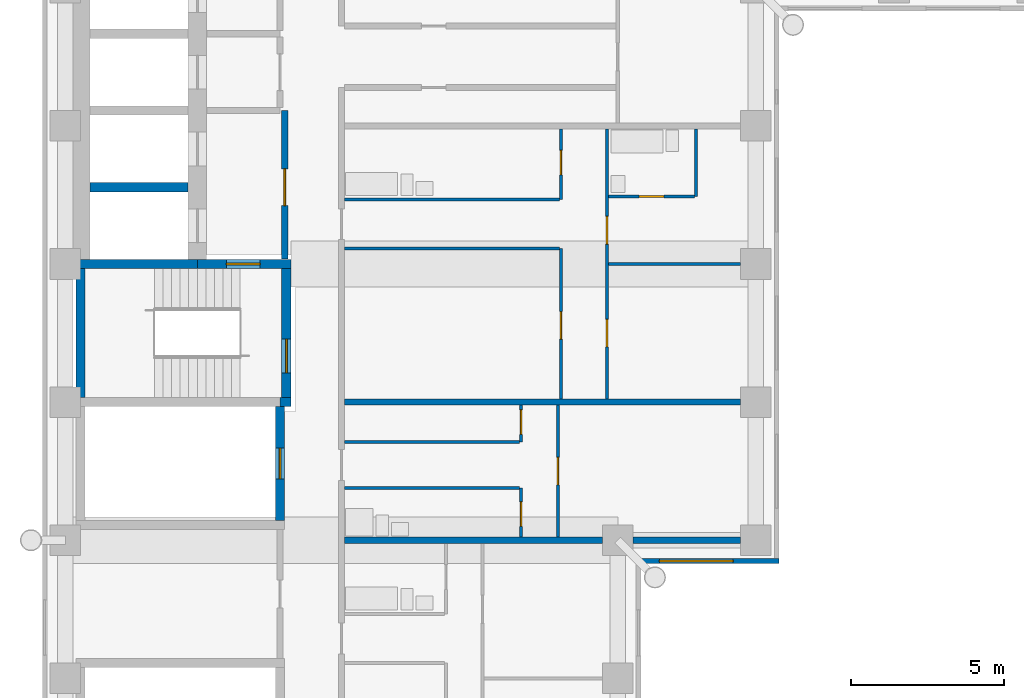
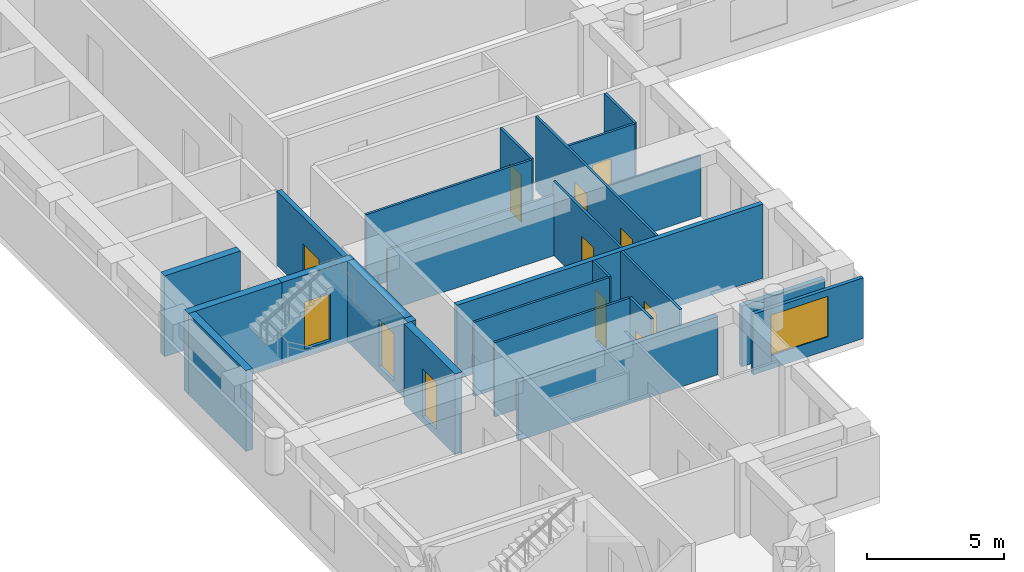
# One storey, part 5 of 14: 25 walls, 12 doors, 1 window, 13 openings.
"""IFC4 building model written with IfcOpenShell, lengths in metres."""

from ifc_helpers import new_model, si_unit, direction, frame, frame_2d, origin, place, context, subcontext, project, spatial, rectangle, extrude, material, layer, layer_set, type_object, element, fill, save


model = new_model("IFC4")

# Units and contexts
model_context = context("Model", 3, precision=1e-05, world=origin(), true_north=direction((0.0, 1.0)))
body_context = subcontext(model_context, "Body", "Model", "MODEL_VIEW")
ifc_project = project(units=[si_unit("LENGTHUNIT", "METRE"), si_unit("AREAUNIT", "SQUARE_METRE"), si_unit("VOLUMEUNIT", "CUBIC_METRE"), si_unit("PLANEANGLEUNIT", "RADIAN"), si_unit("MASSUNIT", "GRAM", prefix="KILO")], contexts=[model_context])

# Site, building, storey
site_placement = place(None, origin())
site = spatial("IfcSite", under=ifc_project, at=site_placement, CompositionType="ELEMENT")
building_placement = place(site_placement, origin())
building = spatial("IfcBuilding", under=site, at=building_placement, Name="Firuza Court", CompositionType="ELEMENT")
storey_placement = place(building_placement, frame((0.0, 0.0, 159.199951171875)))
storey = spatial("IfcBuildingStorey", under=building, at=storey_placement, Name="L40", CompositionType="ELEMENT", Elevation=159.199951171875)

# Walls
ifc_material_1 = material(Name="Moisture-resistant gypsum board partition")
ifc_layer_1 = layer(ifc_material_1, 0.10009765625)
ifc_layer_set_1 = layer_set([ifc_layer_1], Name="Moisture-resistant gypsum board partition")
wall_type_1 = type_object("IfcWallType", Name="Bathroom partition 100", PredefinedType="PLUMBINGWALL", material=ifc_layer_set_1)
wall_1_placement = place(storey_placement, frame((9.10009765625, 19.699951171875, 0.0), z_axis=(0.0, 0.0, 1.0), x_axis=(1.0, 0.0, 0.0)))
element("IfcWall", 1, at=wall_1_placement, inside=storey, type_object=wall_type_1, Name="Bathroom partition 100 L40", PredefinedType="PLUMBINGWALL", context=body_context, shape_type="SweptSolid", body=[
    extrude(rectangle(XDim=5.699951171875, YDim=0.10009765625, at=frame_2d((2.85009765625, 0.0))), origin(), (0.0, 0.0, 1.0), 3.300048828125),
])
wall_2_placement = place(storey_placement, frame((9.10009765625, 29.10009765625, 0.0), z_axis=(0.0, 0.0, 1.0), x_axis=(1.0, 0.0, 0.0)))
element("IfcWall", 2, at=wall_2_placement, inside=storey, type_object=wall_type_1, Name="Bathroom partition 100 L40", PredefinedType="PLUMBINGWALL", context=body_context, shape_type="SweptSolid", body=[
    extrude(rectangle(XDim=7.0, YDim=0.10009765625, at=frame_2d((3.5, 0.0))), origin(), (0.0, 0.0, 1.0), 3.300048828125),
])

# Wall, opening, door
wall_3_placement = place(storey_placement, frame((17.699951171875, 29.199951171875, 0.0), z_axis=(0.0, 0.0, 1.0), x_axis=(1.0, 0.0, 0.0)))
wall_3 = element("IfcWall", 3, at=wall_3_placement, inside=storey, type_object=wall_type_1, Name="Bathroom partition 100 L40", PredefinedType="PLUMBINGWALL", context=body_context, shape_type="SweptSolid", body=[
    extrude(rectangle(XDim=2.800048828125, YDim=0.10009765625, at=frame_2d((1.39990234375, 0.0))), origin(), (0.0, 0.0, 1.0), 3.300048828125),
])
opening_1_placement = place(wall_3_placement, frame((1.0, 0.0, 0.0)))
opening_1 = element("IfcOpeningElement", 4, at=opening_1_placement, cuts=wall_3, Name="Opening D40034", PredefinedType="OPENING", context=body_context, shape_type="SweptSolid", body=[
    extrude(rectangle(XDim=0.800048828125, YDim=2.10009765625, at=frame_2d((0.39990234375, 1.050048828125))), frame((0.0, 0.06201171875, 0.0), z_axis=(0.0, -1.0, 0.0), x_axis=(1.0, 0.0, 0.0)), (0.0, 0.0, 1.0), 0.1240234375),
])
ifc_material_2 = material(Name="Timber door leaf in hardwood frame", Category="wood")
door_type_1 = type_object("IfcDoorType", Name="Bathroom door 800", OperationType="SINGLE_SWING_LEFT", PredefinedType="DOOR", material=ifc_material_2)
door_1_placement = place(opening_1_placement, origin())
door_1 = element("IfcDoor", 5, at=door_1_placement, inside=storey, type_object=door_type_1, Name="En-suite door", OperationType="SINGLE_SWING_LEFT", OverallHeight=2.10009765625, OverallWidth=0.800048828125, PredefinedType="DOOR", context=body_context, shape_type="SweptSolid", body=[
    extrude(rectangle(XDim=0.800048828125, YDim=2.10009765625, at=frame_2d((0.39990234375, 1.050048828125))), frame((0.0, 0.02490234375, 0.0), z_axis=(0.0, -1.0, 0.0), x_axis=(1.0, 0.0, 0.0)), (0.0, 0.0, 1.0), 0.050048828125),
])
fill(opening_1, door_1)

# Walls
wall_4_placement = place(storey_placement, frame((20.550048828125, 29.199951171875, 0.0), z_axis=(0.0, 0.0, 1.0), x_axis=(0.0, 1.0, 0.0)))
element("IfcWall", 6, at=wall_4_placement, inside=storey, type_object=wall_type_1, Name="Bathroom partition 100 L40", PredefinedType="PLUMBINGWALL", context=body_context, shape_type="SweptSolid", body=[
    extrude(rectangle(XDim=2.199951171875, YDim=0.10009765625, at=frame_2d((1.10009765625, 0.0))), origin(), (0.0, 0.0, 1.0), 3.300048828125),
])
ifc_material_3 = material(Name="Concrete C60/75", Category="concrete")
ifc_layer_2 = layer(ifc_material_3, 0.300048828125)
ifc_layer_set_2 = layer_set([ifc_layer_2], Name="Concrete C60/75")
wall_type_2 = type_object("IfcWallType", Name="Core wall 300 C60/75", PredefinedType="SHEAR", material=ifc_layer_set_2)
wall_5_placement = place(storey_placement, frame((0.35009765625, 27.0, -0.300048828125), z_axis=(0.0, 0.0, 1.0), x_axis=(1.0, 0.0, 0.0)))
element("IfcWall", 7, at=wall_5_placement, inside=storey, type_object=wall_type_2, Name="Core wall lift shaft L40", PredefinedType="SHEAR", context=body_context, shape_type="SweptSolid", body=[
    extrude(rectangle(XDim=3.949951171875, YDim=0.300048828125, at=frame_2d((1.97509765625, 0.0))), origin(), (0.0, 0.0, 1.0), 3.60009765625),
])
wall_6_placement = place(storey_placement, frame((0.5, 22.64990234375, -0.300048828125), z_axis=(0.0, 0.0, 1.0), x_axis=(0.0, 1.0, 0.0)))
element("IfcWall", 8, at=wall_6_placement, inside=storey, type_object=wall_type_2, Name="Core wall stair L40", PredefinedType="SHEAR", context=body_context, shape_type="SweptSolid", body=[
    extrude(rectangle(XDim=4.2001953125, YDim=0.300048828125, at=frame_2d((2.10009765625, 0.0))), origin(), (0.0, 0.0, 1.0), 3.60009765625),
])
wall_7_placement = place(storey_placement, frame((0.800048828125, 29.5, -0.300048828125), z_axis=(0.0, 0.0, 1.0), x_axis=(1.0, 0.0, 0.0)))
element("IfcWall", 9, at=wall_7_placement, inside=storey, type_object=wall_type_2, Name="Core wall lift shaft L40", PredefinedType="SHEAR", context=body_context, shape_type="SweptSolid", body=[
    extrude(rectangle(XDim=3.199951171875, YDim=0.300048828125, at=frame_2d((1.60009765625, 0.0))), origin(), (0.0, 0.0, 1.0), 3.60009765625),
])

# Wall, opening, door
wall_8_placement = place(storey_placement, frame((4.300048828125, 27.0, -0.300048828125), z_axis=(0.0, 0.0, 1.0), x_axis=(1.0, 0.0, 0.0)))
wall_8 = element("IfcWall", 10, at=wall_8_placement, inside=storey, type_object=wall_type_2, Name="Core wall stair L40", PredefinedType="SHEAR", context=body_context, shape_type="SweptSolid", body=[
    extrude(rectangle(XDim=3.050048828125, YDim=0.300048828125, at=frame_2d((1.52490234375, 0.0))), origin(), (0.0, 0.0, 1.0), 3.60009765625),
])
opening_2_placement = place(wall_8_placement, frame((0.949951171875, 0.0, 0.300048828125)))
opening_2 = element("IfcOpeningElement", 11, at=opening_2_placement, cuts=wall_8, Name="Opening D40013", PredefinedType="OPENING", context=body_context, shape_type="SweptSolid", body=[
    extrude(rectangle(XDim=1.10009765625, YDim=2.10009765625, at=frame_2d((0.550048828125, 1.050048828125))), frame((0.0, 0.162109375, 0.0), z_axis=(0.0, -1.0, 0.0), x_axis=(1.0, 0.0, 0.0)), (0.0, 0.0, 1.0), 0.323974609375),
])
ifc_material_4 = material(Name="Timber door leaf in hardwood frame", Category="wood")
door_type_2 = type_object("IfcDoorType", Name="Stair door 1100", OperationType="SINGLE_SWING_LEFT", PredefinedType="DOOR", material=ifc_material_4)
door_2_placement = place(opening_2_placement, frame((1.10009765625, 0.0, 0.0), z_axis=(0.0, 0.0, 1.0), x_axis=(-1.0, 0.0, 0.0)))
door_2 = element("IfcDoor", 12, at=door_2_placement, inside=storey, type_object=door_type_2, Name="Fire-fighting lobby door", OperationType="SINGLE_SWING_LEFT", OverallHeight=2.10009765625, OverallWidth=1.10009765625, PredefinedType="DOOR", context=body_context, shape_type="SweptSolid", body=[
    extrude(rectangle(XDim=1.10009765625, YDim=2.10009765625, at=frame_2d((0.550048828125, 1.050048828125))), frame((0.0, 0.02490234375, 0.0), z_axis=(0.0, -1.0, 0.0), x_axis=(1.0, 0.0, 0.0)), (0.0, 0.0, 1.0), 0.050048828125),
])
fill(opening_2, door_2)

wall_9_placement = place(storey_placement, frame((7.0, 18.64990234375, -0.300048828125), z_axis=(0.0, 0.0, 1.0), x_axis=(0.0, 1.0, 0.0)))
wall_9 = element("IfcWall", 13, at=wall_9_placement, inside=storey, type_object=wall_type_2, Name="Core wall riser L40", PredefinedType="SHEAR", context=body_context, shape_type="SweptSolid", body=[
    extrude(rectangle(XDim=3.7001953125, YDim=0.300048828125, at=frame_2d((1.85009765625, 0.0))), origin(), (0.0, 0.0, 1.0), 3.60009765625),
])
opening_3_placement = place(wall_9_placement, frame((1.35009765625, 0.0, 0.300048828125)))
opening_3 = element("IfcOpeningElement", 14, at=opening_3_placement, cuts=wall_9, Name="Opening D40009", PredefinedType="OPENING", context=body_context, shape_type="SweptSolid", body=[
    extrude(rectangle(XDim=1.0, YDim=2.10009765625, at=frame_2d((0.5, 1.050048828125))), frame((0.0, 0.162109375, 0.0), z_axis=(0.0, -1.0, 0.0), x_axis=(1.0, 0.0, 0.0)), (0.0, 0.0, 1.0), 0.323974609375),
])
ifc_material_5 = material(Name="Timber door leaf in hardwood frame", Category="wood")
door_type_3 = type_object("IfcDoorType", Name="Riser door 1000", OperationType="SINGLE_SWING_LEFT", PredefinedType="DOOR", material=ifc_material_5)
door_3_placement = place(opening_3_placement, origin())
door_3 = element("IfcDoor", 15, at=door_3_placement, inside=storey, type_object=door_type_3, Name="Riser door R1", OperationType="SINGLE_SWING_LEFT", OverallHeight=2.10009765625, OverallWidth=1.0, PredefinedType="DOOR", context=body_context, shape_type="SweptSolid", body=[
    extrude(rectangle(XDim=1.0, YDim=2.10009765625, at=frame_2d((0.5, 1.050048828125))), frame((0.0, 0.02490234375, 0.0), z_axis=(0.0, -1.0, 0.0), x_axis=(1.0, 0.0, 0.0)), (0.0, 0.0, 1.0), 0.050048828125),
])
fill(opening_3, door_3)

# Wall
wall_10_placement = place(storey_placement, frame((7.0, 22.5, -0.300048828125), z_axis=(0.0, 0.0, 1.0), x_axis=(1.0, 0.0, 0.0)))
element("IfcWall", 16, at=wall_10_placement, inside=storey, type_object=wall_type_2, Name="Core wall stair L40", PredefinedType="SHEAR", context=body_context, shape_type="SweptSolid", body=[
    extrude(rectangle(XDim=0.35009765625, YDim=0.300048828125, at=frame_2d((0.175048828125, 0.0))), origin(), (0.0, 0.0, 1.0), 3.60009765625),
])

# Wall, opening, door
wall_11_placement = place(storey_placement, frame((7.199951171875, 22.64990234375, -0.300048828125), z_axis=(0.0, 0.0, 1.0), x_axis=(0.0, 1.0, 0.0)))
wall_11 = element("IfcWall", 17, at=wall_11_placement, inside=storey, type_object=wall_type_2, Name="Core wall stair L40", PredefinedType="SHEAR", context=body_context, shape_type="SweptSolid", body=[
    extrude(rectangle(XDim=4.2001953125, YDim=0.300048828125, at=frame_2d((2.10009765625, 0.0))), origin(), (0.0, 0.0, 1.0), 3.60009765625),
])
opening_4_placement = place(wall_11_placement, frame((0.800048828125, 0.0, 0.300048828125)))
opening_4 = element("IfcOpeningElement", 18, at=opening_4_placement, cuts=wall_11, Name="Opening D40014", PredefinedType="OPENING", context=body_context, shape_type="SweptSolid", body=[
    extrude(rectangle(XDim=1.10009765625, YDim=2.10009765625, at=frame_2d((0.550048828125, 1.050048828125))), frame((0.0, 0.162109375, 0.0), z_axis=(0.0, -1.0, 0.0), x_axis=(1.0, 0.0, 0.0)), (0.0, 0.0, 1.0), 0.323974609375),
])
door_4_placement = place(opening_4_placement, origin())
door_4 = element("IfcDoor", 19, at=door_4_placement, inside=storey, type_object=door_type_2, Name="Stair door S2", OperationType="SINGLE_SWING_LEFT", OverallHeight=2.10009765625, OverallWidth=1.10009765625, PredefinedType="DOOR", context=body_context, shape_type="SweptSolid", body=[
    extrude(rectangle(XDim=1.10009765625, YDim=2.10009765625, at=frame_2d((0.550048828125, 1.050048828125))), frame((0.0, 0.02490234375, 0.0), z_axis=(0.0, -1.0, 0.0), x_axis=(1.0, 0.0, 0.0)), (0.0, 0.0, 1.0), 0.050048828125),
])
fill(opening_4, door_4)

ifc_material_6 = material(Name="Timber stud partition, plasterboard both sides", Category="wood")
ifc_layer_3 = layer(ifc_material_6, 0.10009765625)
ifc_layer_set_3 = layer_set([ifc_layer_3], Name="Timber stud partition, plasterboard both sides")
wall_type_3 = type_object("IfcWallType", Name="Partition wall 100", PredefinedType="PARTITIONING", material=ifc_layer_set_3)
wall_12_placement = place(storey_placement, frame((14.85009765625, 18.10009765625, 0.0), z_axis=(0.0, 0.0, 1.0), x_axis=(0.0, 1.0, 0.0)))
wall_12 = element("IfcWall", 20, at=wall_12_placement, inside=storey, type_object=wall_type_3, Name="Partition wall 100 L40", PredefinedType="PARTITIONING", context=body_context, shape_type="SweptSolid", body=[
    extrude(rectangle(XDim=1.599853515625, YDim=0.10009765625, at=frame_2d((0.7998046875, 0.0))), origin(), (0.0, 0.0, 1.0), 3.300048828125),
])
opening_5_placement = place(wall_12_placement, frame((0.35009765625, 0.0, 0.0)))
opening_5 = element("IfcOpeningElement", 21, at=opening_5_placement, cuts=wall_12, Name="Opening D40027", PredefinedType="OPENING", context=body_context, shape_type="SweptSolid", body=[
    extrude(rectangle(XDim=0.800048828125, YDim=2.10009765625, at=frame_2d((0.39990234375, 1.050048828125))), frame((0.0, 0.06201171875, 0.0), z_axis=(0.0, -1.0, 0.0), x_axis=(1.0, 0.0, 0.0)), (0.0, 0.0, 1.0), 0.1240234375),
])
door_5_placement = place(opening_5_placement, origin())
door_5 = element("IfcDoor", 22, at=door_5_placement, inside=storey, type_object=door_type_1, Name="Bathroom door", OperationType="SINGLE_SWING_LEFT", OverallHeight=2.10009765625, OverallWidth=0.800048828125, PredefinedType="DOOR", context=body_context, shape_type="SweptSolid", body=[
    extrude(rectangle(XDim=0.800048828125, YDim=2.10009765625, at=frame_2d((0.39990234375, 1.050048828125))), frame((0.0, 0.02490234375, 0.0), z_axis=(0.0, -1.0, 0.0), x_axis=(1.0, 0.0, 0.0)), (0.0, 0.0, 1.0), 0.050048828125),
])
fill(opening_5, door_5)

wall_13_placement = place(storey_placement, frame((16.050048828125, 18.10009765625, 0.0), z_axis=(0.0, 0.0, 1.0), x_axis=(0.0, 1.0, 0.0)))
wall_13 = element("IfcWall", 23, at=wall_13_placement, inside=storey, type_object=wall_type_3, Name="Partition wall 100 L40", PredefinedType="PARTITIONING", context=body_context, shape_type="SweptSolid", body=[
    extrude(rectangle(XDim=4.2998046875, YDim=0.10009765625, at=frame_2d((2.14990234375, 0.0))), origin(), (0.0, 0.0, 1.0), 3.300048828125),
])
opening_6_placement = place(wall_13_placement, frame((1.699951171875, 0.0, 0.0)))
opening_6 = element("IfcOpeningElement", 24, at=opening_6_placement, cuts=wall_13, Name="Opening D40028", PredefinedType="OPENING", context=body_context, shape_type="SweptSolid", body=[
    extrude(rectangle(XDim=0.89990234375, YDim=2.10009765625, at=frame_2d((0.449951171875, 1.050048828125))), frame((0.0, 0.06201171875, 0.0), z_axis=(0.0, -1.0, 0.0), x_axis=(1.0, 0.0, 0.0)), (0.0, 0.0, 1.0), 0.1240234375),
])
ifc_material_7 = material(Name="Timber door leaf in hardwood frame", Category="wood")
door_type_4 = type_object("IfcDoorType", Name="Room door 900", OperationType="SINGLE_SWING_LEFT", PredefinedType="DOOR", material=ifc_material_7)
door_6_placement = place(opening_6_placement, frame((0.89990234375, 0.0, 0.0), z_axis=(0.0, 0.0, 1.0), x_axis=(-1.0, 0.0, 0.0)))
door_6 = element("IfcDoor", 25, at=door_6_placement, inside=storey, type_object=door_type_4, Name="Studio room door", OperationType="SINGLE_SWING_RIGHT", OverallHeight=2.10009765625, OverallWidth=0.89990234375, PredefinedType="DOOR", context=body_context, shape_type="SweptSolid", body=[
    extrude(rectangle(XDim=0.89990234375, YDim=2.10009765625, at=frame_2d((0.449951171875, 1.050048828125))), frame((0.0, 0.02490234375, 0.0), z_axis=(0.0, -1.0, 0.0), x_axis=(1.0, 0.0, 0.0)), (0.0, 0.0, 1.0), 0.050048828125),
])
fill(opening_6, door_6)

# Wall
wall_14_placement = place(storey_placement, frame((9.10009765625, 21.199951171875, 0.0), z_axis=(0.0, 0.0, 1.0), x_axis=(1.0, 0.0, 0.0)))
element("IfcWall", 26, at=wall_14_placement, inside=storey, type_object=wall_type_3, Name="Partition wall 100 L40", PredefinedType="PARTITIONING", context=body_context, shape_type="SweptSolid", body=[
    extrude(rectangle(XDim=5.699951171875, YDim=0.10009765625, at=frame_2d((2.85009765625, 0.0))), origin(), (0.0, 0.0, 1.0), 3.300048828125),
])

# Wall, opening, door
wall_15_placement = place(storey_placement, frame((14.85009765625, 21.199951171875, 0.0), z_axis=(0.0, 0.0, 1.0), x_axis=(0.0, 1.0, 0.0)))
wall_15 = element("IfcWall", 27, at=wall_15_placement, inside=storey, type_object=wall_type_3, Name="Partition wall 100 L40", PredefinedType="PARTITIONING", context=body_context, shape_type="SweptSolid", body=[
    extrude(rectangle(XDim=1.199951171875, YDim=0.10009765625, at=frame_2d((0.60009765625, 0.0))), origin(), (0.0, 0.0, 1.0), 3.300048828125),
])
opening_7_placement = place(wall_15_placement, frame((0.25, 0.0, 0.0)))
opening_7 = element("IfcOpeningElement", 28, at=opening_7_placement, cuts=wall_15, Name="Opening D40029", PredefinedType="OPENING", context=body_context, shape_type="SweptSolid", body=[
    extrude(rectangle(XDim=0.800048828125, YDim=2.10009765625, at=frame_2d((0.39990234375, 1.050048828125))), frame((0.0, 0.06201171875, 0.0), z_axis=(0.0, -1.0, 0.0), x_axis=(1.0, 0.0, 0.0)), (0.0, 0.0, 1.0), 0.1240234375),
])
ifc_material_8 = material(Name="Timber door leaf in hardwood frame", Category="wood")
door_type_5 = type_object("IfcDoorType", Name="Room door 800", OperationType="SINGLE_SWING_LEFT", PredefinedType="DOOR", material=ifc_material_8)
door_7_placement = place(opening_7_placement, origin())
door_7 = element("IfcDoor", 29, at=door_7_placement, inside=storey, type_object=door_type_5, Name="Kitchen door", OperationType="SINGLE_SWING_LEFT", OverallHeight=2.10009765625, OverallWidth=0.800048828125, PredefinedType="DOOR", context=body_context, shape_type="SweptSolid", body=[
    extrude(rectangle(XDim=0.800048828125, YDim=2.10009765625, at=frame_2d((0.39990234375, 1.050048828125))), frame((0.0, 0.02490234375, 0.0), z_axis=(0.0, -1.0, 0.0), x_axis=(1.0, 0.0, 0.0)), (0.0, 0.0, 1.0), 0.050048828125),
])
fill(opening_7, door_7)

wall_16_placement = place(storey_placement, frame((16.14990234375, 22.60009765625, 0.0), z_axis=(0.0, 0.0, 1.0), x_axis=(0.0, 1.0, 0.0)))
wall_16 = element("IfcWall", 30, at=wall_16_placement, inside=storey, type_object=wall_type_3, Name="Partition wall 100 L40", PredefinedType="PARTITIONING", context=body_context, shape_type="SweptSolid", body=[
    extrude(rectangle(XDim=4.89990234375, YDim=0.10009765625, at=frame_2d((2.449951171875, 0.0))), origin(), (0.0, 0.0, 1.0), 3.300048828125),
])
opening_8_placement = place(wall_16_placement, frame((1.949951171875, 0.0, 0.0)))
opening_8 = element("IfcOpeningElement", 31, at=opening_8_placement, cuts=wall_16, Name="Opening D40030", PredefinedType="OPENING", context=body_context, shape_type="SweptSolid", body=[
    extrude(rectangle(XDim=0.89990234375, YDim=2.10009765625, at=frame_2d((0.449951171875, 1.050048828125))), frame((0.0, 0.06201171875, 0.0), z_axis=(0.0, -1.0, 0.0), x_axis=(1.0, 0.0, 0.0)), (0.0, 0.0, 1.0), 0.1240234375),
])
door_8_placement = place(opening_8_placement, origin())
door_8 = element("IfcDoor", 32, at=door_8_placement, inside=storey, type_object=door_type_4, Name="Kitchen door", OperationType="SINGLE_SWING_LEFT", OverallHeight=2.10009765625, OverallWidth=0.89990234375, PredefinedType="DOOR", context=body_context, shape_type="SweptSolid", body=[
    extrude(rectangle(XDim=0.89990234375, YDim=2.10009765625, at=frame_2d((0.449951171875, 1.050048828125))), frame((0.0, 0.02490234375, 0.0), z_axis=(0.0, -1.0, 0.0), x_axis=(1.0, 0.0, 0.0)), (0.0, 0.0, 1.0), 0.050048828125),
])
fill(opening_8, door_8)

# Wall, openings, doors
wall_17_placement = place(storey_placement, frame((17.64990234375, 22.60009765625, 0.0), z_axis=(0.0, 0.0, 1.0), x_axis=(0.0, 1.0, 0.0)))
wall_17 = element("IfcWall", 33, at=wall_17_placement, inside=storey, type_object=wall_type_3, Name="Partition wall 100 L40", PredefinedType="PARTITIONING", context=body_context, shape_type="SweptSolid", body=[
    extrude(rectangle(XDim=8.7998046875, YDim=0.10009765625, at=frame_2d((4.39990234375, 0.0))), origin(), (0.0, 0.0, 1.0), 3.300048828125),
])
opening_9_placement = place(wall_17_placement, frame((1.699951171875, 0.0, 0.0)))
opening_9 = element("IfcOpeningElement", 34, at=opening_9_placement, cuts=wall_17, Name="Opening D40031", PredefinedType="OPENING", context=body_context, shape_type="SweptSolid", body=[
    extrude(rectangle(XDim=0.89990234375, YDim=2.10009765625, at=frame_2d((0.449951171875, 1.050048828125))), frame((0.0, 0.06201171875, 0.0), z_axis=(0.0, -1.0, 0.0), x_axis=(1.0, 0.0, 0.0)), (0.0, 0.0, 1.0), 0.1240234375),
])
opening_10_placement = place(wall_17_placement, frame((5.050048828125, 0.0, 0.0)))
opening_10 = element("IfcOpeningElement", 35, at=opening_10_placement, cuts=wall_17, Name="Opening D40032", PredefinedType="OPENING", context=body_context, shape_type="SweptSolid", body=[
    extrude(rectangle(XDim=0.89990234375, YDim=2.10009765625, at=frame_2d((0.449951171875, 1.050048828125))), frame((0.0, 0.06201171875, 0.0), z_axis=(0.0, -1.0, 0.0), x_axis=(1.0, 0.0, 0.0)), (0.0, 0.0, 1.0), 0.1240234375),
])
door_9_placement = place(opening_9_placement, frame((0.89990234375, 0.0, 0.0), z_axis=(0.0, 0.0, 1.0), x_axis=(-1.0, 0.0, 0.0)))
door_9 = element("IfcDoor", 36, at=door_9_placement, inside=storey, type_object=door_type_4, Name="Living room door", OperationType="SINGLE_SWING_RIGHT", OverallHeight=2.10009765625, OverallWidth=0.89990234375, PredefinedType="DOOR", context=body_context, shape_type="SweptSolid", body=[
    extrude(rectangle(XDim=0.89990234375, YDim=2.10009765625, at=frame_2d((0.449951171875, 1.050048828125))), frame((0.0, 0.02490234375, 0.0), z_axis=(0.0, -1.0, 0.0), x_axis=(1.0, 0.0, 0.0)), (0.0, 0.0, 1.0), 0.050048828125),
])
fill(opening_9, door_9)
door_10_placement = place(opening_10_placement, frame((0.89990234375, 0.0, 0.0), z_axis=(0.0, 0.0, 1.0), x_axis=(-1.0, 0.0, 0.0)))
door_10 = element("IfcDoor", 37, at=door_10_placement, inside=storey, type_object=door_type_4, Name="Bedroom door", OperationType="SINGLE_SWING_RIGHT", OverallHeight=2.10009765625, OverallWidth=0.89990234375, PredefinedType="DOOR", context=body_context, shape_type="SweptSolid", body=[
    extrude(rectangle(XDim=0.89990234375, YDim=2.10009765625, at=frame_2d((0.449951171875, 1.050048828125))), frame((0.0, 0.02490234375, 0.0), z_axis=(0.0, -1.0, 0.0), x_axis=(1.0, 0.0, 0.0)), (0.0, 0.0, 1.0), 0.050048828125),
])
fill(opening_10, door_10)

# Walls
wall_18_placement = place(storey_placement, frame((17.699951171875, 27.0, 0.0), z_axis=(0.0, 0.0, 1.0), x_axis=(1.0, 0.0, 0.0)))
element("IfcWall", 38, at=wall_18_placement, inside=storey, type_object=wall_type_3, Name="Partition wall 100 L40", PredefinedType="PARTITIONING", context=body_context, shape_type="SweptSolid", body=[
    extrude(rectangle(XDim=4.300048828125, YDim=0.10009765625, at=frame_2d((2.14990234375, 0.0))), origin(), (0.0, 0.0, 1.0), 2.699951171875),
])
wall_19_placement = place(storey_placement, frame((9.10009765625, 27.5, 0.0), z_axis=(0.0, 0.0, 1.0), x_axis=(1.0, 0.0, 0.0)))
element("IfcWall", 39, at=wall_19_placement, inside=storey, type_object=wall_type_3, Name="Partition wall 100 L40", PredefinedType="PARTITIONING", context=body_context, shape_type="SweptSolid", body=[
    extrude(rectangle(XDim=7.0, YDim=0.10009765625, at=frame_2d((3.5, 0.0))), origin(), (0.0, 0.0, 1.0), 2.699951171875),
])

# Wall, opening, door
wall_20_placement = place(storey_placement, frame((16.14990234375, 29.10009765625, 0.0), z_axis=(0.0, 0.0, 1.0), x_axis=(0.0, 1.0, 0.0)))
wall_20 = element("IfcWall", 40, at=wall_20_placement, inside=storey, type_object=wall_type_3, Name="Partition wall 100 L40", PredefinedType="PARTITIONING", context=body_context, shape_type="SweptSolid", body=[
    extrude(rectangle(XDim=2.2998046875, YDim=0.10009765625, at=frame_2d((1.14990234375, 0.0))), origin(), (0.0, 0.0, 1.0), 3.300048828125),
])
opening_11_placement = place(wall_20_placement, frame((0.800048828125, 0.0, 0.0)))
opening_11 = element("IfcOpeningElement", 41, at=opening_11_placement, cuts=wall_20, Name="Opening D40033", PredefinedType="OPENING", context=body_context, shape_type="SweptSolid", body=[
    extrude(rectangle(XDim=0.800048828125, YDim=2.10009765625, at=frame_2d((0.39990234375, 1.050048828125))), frame((0.0, 0.06201171875, 0.0), z_axis=(0.0, -1.0, 0.0), x_axis=(1.0, 0.0, 0.0)), (0.0, 0.0, 1.0), 0.1240234375),
])
door_11_placement = place(opening_11_placement, origin())
door_11 = element("IfcDoor", 42, at=door_11_placement, inside=storey, type_object=door_type_1, Name="Bathroom door", OperationType="SINGLE_SWING_LEFT", OverallHeight=2.10009765625, OverallWidth=0.800048828125, PredefinedType="DOOR", context=body_context, shape_type="SweptSolid", body=[
    extrude(rectangle(XDim=0.800048828125, YDim=2.10009765625, at=frame_2d((0.39990234375, 1.050048828125))), frame((0.0, 0.02490234375, 0.0), z_axis=(0.0, -1.0, 0.0), x_axis=(1.0, 0.0, 0.0)), (0.0, 0.0, 1.0), 0.050048828125),
])
fill(opening_11, door_11)

# Walls
ifc_material_9 = material(Name="Blockwork, plastered both sides", Category="masonry")
ifc_layer_4 = layer(ifc_material_9, 0.199951171875)
ifc_layer_set_4 = layer_set([ifc_layer_4], Name="Blockwork, plastered both sides")
wall_type_4 = type_object("IfcWallType", Name="Party wall 200", PredefinedType="PARTITIONING", material=ifc_layer_set_4)
wall_21_placement = place(storey_placement, frame((9.10009765625, 18.0, 0.0), z_axis=(0.0, 0.0, 1.0), x_axis=(1.0, 0.0, 0.0)))
element("IfcWall", 43, at=wall_21_placement, inside=storey, type_object=wall_type_4, Name="Party wall 200 L40", PredefinedType="PARTITIONING", context=body_context, shape_type="SweptSolid", body=[
    extrude(rectangle(XDim=8.39990234375, YDim=0.199951171875, at=frame_2d((4.199951171875, 0.0))), origin(), (0.0, 0.0, 1.0), 2.60009765625),
])
wall_22_placement = place(storey_placement, frame((18.5, 18.0, 0.0), z_axis=(0.0, 0.0, 1.0), x_axis=(1.0, 0.0, 0.0)))
element("IfcWall", 44, at=wall_22_placement, inside=storey, type_object=wall_type_4, Name="Party wall 200 L40", PredefinedType="PARTITIONING", context=body_context, shape_type="SweptSolid", body=[
    extrude(rectangle(XDim=3.5, YDim=0.199951171875, at=frame_2d((1.75, 0.0))), origin(), (0.0, 0.0, 1.0), 2.699951171875),
])
wall_23_placement = place(storey_placement, frame((9.10009765625, 22.5, 0.0), z_axis=(0.0, 0.0, 1.0), x_axis=(1.0, 0.0, 0.0)))
element("IfcWall", 45, at=wall_23_placement, inside=storey, type_object=wall_type_4, Name="Party wall 200 L40", PredefinedType="PARTITIONING", context=body_context, shape_type="SweptSolid", body=[
    extrude(rectangle(XDim=12.89990234375, YDim=0.199951171875, at=frame_2d((6.449951171875, 0.0))), origin(), (0.0, 0.0, 1.0), 3.300048828125),
])

# Wall, opening, window
ifc_material_10 = material(Name="Ceramic tile", Category="ceramic")
ifc_layer_5 = layer(ifc_material_10, 0.02001953125)
ifc_material_11 = material(Name="Mineral wool insulation", Category="insulation")
ifc_layer_6 = layer(ifc_material_11, 0.050048828125)
ifc_material_12 = material(Name="Concrete C40/50 precast", Category="concrete")
ifc_layer_7 = layer(ifc_material_12, 0.080078125)
ifc_layer_set_5 = layer_set([ifc_layer_5, ifc_layer_6, ifc_layer_7], Name="Concrete C40/50 precast")
wall_type_5 = type_object("IfcWallType", Name="Precast cladding wall with turquoise TILE PANEL face 150", PredefinedType="STANDARD", material=ifc_layer_set_5)
wall_24_placement = place(storey_placement, frame((18.60009765625, 17.324951171875, 0.0), z_axis=(0.0, 0.0, 1.0), x_axis=(1.0, 0.0, 0.0)))
wall_24 = element("IfcWall", 46, at=wall_24_placement, inside=storey, type_object=wall_type_5, Name="Facade wall L40 S", PredefinedType="STANDARD", context=body_context, shape_type="SweptSolid", body=[
    extrude(rectangle(XDim=4.64990234375, YDim=0.14990234375, at=frame_2d((2.324951171875, 0.0))), origin(), (0.0, 0.0, 1.0), 2.699951171875),
])
opening_12_placement = place(wall_24_placement, frame((0.756591796875, 0.0, 0.60009765625)))
opening_12 = element("IfcOpeningElement", 47, at=opening_12_placement, cuts=wall_24, Name="Opening W1", PredefinedType="OPENING", context=body_context, shape_type="SweptSolid", body=[
    extrude(rectangle(XDim=2.39990234375, YDim=1.800048828125, at=frame_2d((1.199951171875, 0.89990234375))), frame((0.0, 0.0869140625, 0.0), z_axis=(0.0, -1.0, 0.0), x_axis=(1.0, 0.0, 0.0)), (0.0, 0.0, 1.0), 0.173828125),
])
ifc_material_13 = material(Name="Aluminium frame, triple clear glazing", Category="aluminium")
window_type = type_object("IfcWindowType", Name="Window W1 2400 x 1800", PartitioningType="SINGLE_PANEL", PredefinedType="WINDOW", material=ifc_material_13)
window_placement = place(opening_12_placement, origin())
window = element("IfcWindow", 48, at=window_placement, inside=storey, type_object=window_type, Name="Window L40", OverallHeight=1.800048828125, OverallWidth=2.39990234375, PartitioningType="SINGLE_PANEL", PredefinedType="WINDOW", context=body_context, shape_type="SweptSolid", body=[
    extrude(rectangle(XDim=2.39990234375, YDim=1.800048828125, at=frame_2d((1.199951171875, 0.89990234375))), frame((0.0, 0.030029296875, 0.0), z_axis=(0.0, -1.0, 0.0), x_axis=(1.0, 0.0, 0.0)), (0.0, 0.0, 1.0), 0.06005859375),
])
fill(opening_12, window)

# Wall, opening, door
ifc_material_14 = material(Name="Blockwork, fire-rated", Category="masonry")
ifc_layer_8 = layer(ifc_material_14, 0.199951171875)
ifc_layer_set_6 = layer_set([ifc_layer_8], Name="Blockwork, fire-rated")
wall_type_6 = type_object("IfcWallType", Name="Shaft wall 200", PredefinedType="PARTITIONING", material=ifc_layer_set_6)
wall_25_placement = place(storey_placement, frame((7.14990234375, 27.169921875, 0.0), z_axis=(0.0, 0.0, 1.0), x_axis=(0.0, 1.0, 0.0)))
wall_25 = element("IfcWall", 49, at=wall_25_placement, inside=storey, type_object=wall_type_6, Name="Shaft wall 200 L40", PredefinedType="PARTITIONING", context=body_context, shape_type="SweptSolid", body=[
    extrude(rectangle(XDim=4.830078125, YDim=0.199951171875, at=frame_2d((2.4150390625, 0.0))), origin(), (0.0, 0.0, 1.0), 3.300048828125),
])
opening_13_placement = place(wall_25_placement, frame((1.72998046875, 0.0, 0.0)))
opening_13 = element("IfcOpeningElement", 50, at=opening_13_placement, cuts=wall_25, Name="Opening D40002", PredefinedType="OPENING", context=body_context, shape_type="SweptSolid", body=[
    extrude(rectangle(XDim=1.199951171875, YDim=2.10009765625, at=frame_2d((0.60009765625, 1.050048828125))), frame((0.0, 0.11181640625, 0.0), z_axis=(0.0, -1.0, 0.0), x_axis=(1.0, 0.0, 0.0)), (0.0, 0.0, 1.0), 0.223876953125),
])
ifc_material_15 = material(Name="Timber door leaf in hardwood frame", Category="wood")
door_type_6 = type_object("IfcDoorType", Name="Lobby door 1200", OperationType="SINGLE_SWING_LEFT", PredefinedType="DOOR", material=ifc_material_15)
door_12_placement = place(opening_13_placement, origin())
door_12 = element("IfcDoor", 51, at=door_12_placement, inside=storey, type_object=door_type_6, Name="Fire-fighting lobby door", OperationType="SINGLE_SWING_LEFT", OverallHeight=2.10009765625, OverallWidth=1.199951171875, PredefinedType="DOOR", context=body_context, shape_type="SweptSolid", body=[
    extrude(rectangle(XDim=1.199951171875, YDim=2.10009765625, at=frame_2d((0.60009765625, 1.050048828125))), frame((0.0, 0.02490234375, 0.0), z_axis=(0.0, -1.0, 0.0), x_axis=(1.0, 0.0, 0.0)), (0.0, 0.0, 1.0), 0.050048828125),
])
fill(opening_13, door_12)

save(model, "model.ifc")
